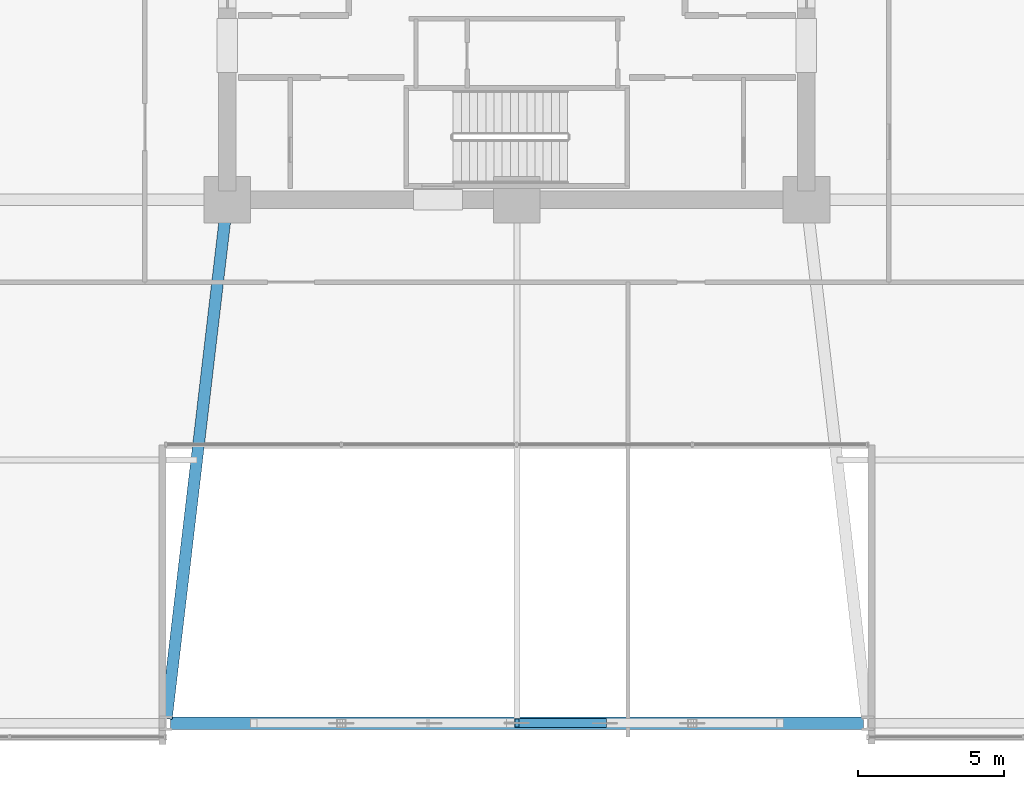
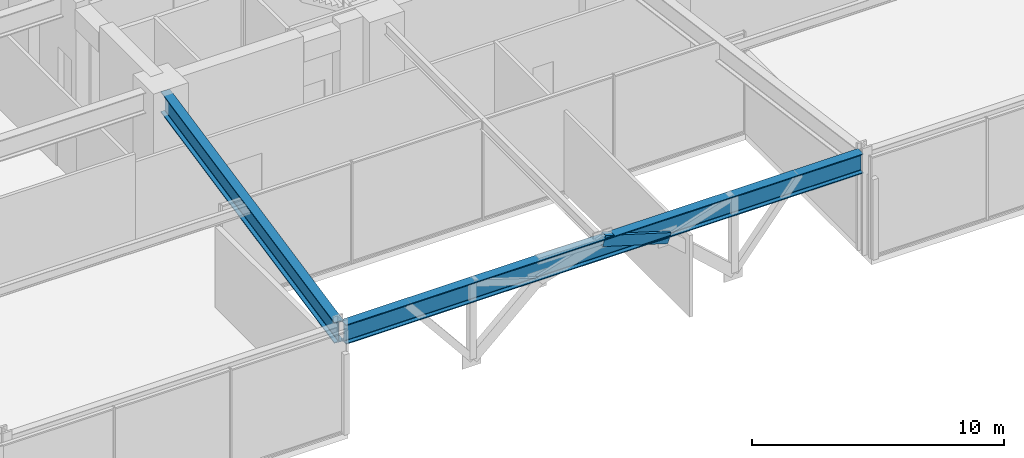
# One storey, part 9 of 49: 2 beams, 1 member.
"""IFC4 building model written with IfcOpenShell, lengths in metres."""

import ifcopenshell
import ifcopenshell.guid

model = None  # the IFC model being written
_history = None  # IfcOwnerHistory: only IFC2X3 demands one
_inside = {}  # id of a spatial element -> (the spatial element, [elements in it])
_under = {}  # id of a project, library or spatial element -> (it, [spatial elements below it])
_declared = {}  # id of a project -> (the project, [libraries it declares])
_typed = {}  # id of a type object -> (the type object, [elements of that type])
_made_of = {}  # id of a material, layer set ... -> (it, [elements and type objects made of it])


def new_model(schema):
    """Start an empty IFC model of exactly this schema.

    Asked for "IFC4X3", IfcOpenShell would pick the latest addendum, in which some entities
    have other attributes; the version numbers below select the first issue.
    IFC2X3 requires an IfcOwnerHistory on every rooted entity: one is made here for all.
    """
    global model, _history
    if schema == "IFC4X3":
        model = ifcopenshell.file(schema_version=(4, 3, 0, 0))
    else:
        model = ifcopenshell.file(schema=schema)
    _inside.clear()
    _under.clear()
    _declared.clear()
    _typed.clear()
    _made_of.clear()
    _history = None
    if model.schema == "IFC2X3":
        org = make("IfcOrganization", Name="unknown")
        user = make(
            "IfcPersonAndOrganization",
            ThePerson=make("IfcPerson", FamilyName="unknown"),
            TheOrganization=org,
        )
        app = make(
            "IfcApplication",
            ApplicationDeveloper=org,
            Version="unknown",
            ApplicationFullName="unknown",
            ApplicationIdentifier="unknown",
        )
        _history = make(
            "IfcOwnerHistory",
            OwningUser=user,
            OwningApplication=app,
            ChangeAction="ADDED",
            CreationDate=0,
        )
    return model


def make(cls, **values):
    """One entity of the class cls with the attributes given. An attribute that is None is left unset."""
    return model.create_entity(
        cls, **{name: value for name, value in values.items() if value is not None}
    )


def rooted(cls, **values):
    """An entity with a GlobalId (a new one), such as an element, a storey or a relation."""
    return make(cls, GlobalId=ifcopenshell.guid.new(), OwnerHistory=_history, **values)


def si_unit(unit_type, name, prefix=None):
    """IfcSIUnit, for example si_unit("LENGTHUNIT", "METRE", prefix="MILLI")."""
    return make("IfcSIUnit", UnitType=unit_type, Prefix=prefix, Name=name)


def assignment(units):
    """IfcUnitAssignment: the units of a project."""
    return None if units is None else make("IfcUnitAssignment", Units=units)


def point(xyz):
    """IfcCartesianPoint."""
    return None if xyz is None else make("IfcCartesianPoint", Coordinates=xyz)


def direction(xyz):
    """IfcDirection."""
    return None if xyz is None else make("IfcDirection", DirectionRatios=xyz)


def frame(location, z_axis=None, x_axis=None):
    """IfcAxis2Placement3D, a coordinate frame: its origin and axes. An axis left out is left unset."""
    return make(
        "IfcAxis2Placement3D",
        Location=point(location),
        Axis=direction(z_axis),
        RefDirection=direction(x_axis),
    )


def frame_2d(location, x_axis=None):
    """IfcAxis2Placement2D, a coordinate frame in the plane: its origin and x axis."""
    return make(
        "IfcAxis2Placement2D", Location=point(location), RefDirection=direction(x_axis)
    )


def origin():
    """The frame at (0, 0, 0) with its axes left unset."""
    return frame((0.0, 0.0, 0.0))


def origin_2d():
    """The frame at (0, 0) in the plane with its x axis left unset."""
    return frame_2d((0.0, 0.0))


def place(relative_to, where):
    """IfcLocalPlacement: puts the frame where relative to a parent placement (None: the world)."""
    return make(
        "IfcLocalPlacement", PlacementRelTo=relative_to, RelativePlacement=where
    )


def context(
    kind, dimensions, precision=None, world=None, true_north=None, identifier=None
):
    """IfcGeometricRepresentationContext, for example the 3D "Model" context."""
    return make(
        "IfcGeometricRepresentationContext",
        ContextIdentifier=identifier,
        ContextType=kind,
        CoordinateSpaceDimension=dimensions,
        Precision=precision,
        WorldCoordinateSystem=world,
        TrueNorth=true_north,
    )


def subcontext(parent, identifier, kind, view, scale=None):
    """IfcGeometricRepresentationSubContext, for example "Body" below "Model"."""
    return make(
        "IfcGeometricRepresentationSubContext",
        ContextIdentifier=identifier,
        ContextType=kind,
        ParentContext=parent,
        TargetScale=scale,
        TargetView=view,
    )


def project(units=None, contexts=None):
    """IfcProject with its units and contexts."""
    return rooted(
        "IfcProject",
        Name="project",
        RepresentationContexts=contexts,
        UnitsInContext=assignment(units),
    )


def spatial(cls, under=None, at=None, **own):
    """A site, building, storey or space (cls), placed at a placement, below another one or the project."""
    s = rooted(cls, ObjectPlacement=at, **own)
    if under is not None:
        _under.setdefault(under.id(), (under, []))[1].append(s)
    return s


def profile(cls, at=None, kind="AREA", **sizes):
    """A parametric profile (cls). Its sizes go by their IFC names, for example OverallWidth=200.0."""
    return make(cls, ProfileType=kind, Position=at, **sizes)


def hollow_rectangle(**sizes):
    """IfcRectangleHollowProfileDef."""
    return profile("IfcRectangleHollowProfileDef", **sizes)


def i_section(**sizes):
    """IfcIShapeProfileDef."""
    return profile("IfcIShapeProfileDef", **sizes)


def extrude(swept, where, along, depth):
    """IfcExtrudedAreaSolid: the profile swept, set in the frame where, extruded along a direction by depth."""
    return make(
        "IfcExtrudedAreaSolid",
        SweptArea=swept,
        Position=where,
        ExtrudedDirection=direction(along),
        Depth=depth,
    )


def shape(context_of_items, identifier, shape_type, items):
    """IfcShapeRepresentation: the items that make up one representation, for example the "Body"."""
    return make(
        "IfcShapeRepresentation",
        ContextOfItems=context_of_items,
        RepresentationIdentifier=identifier,
        RepresentationType=shape_type,
        Items=items,
    )


def material(Name=None, Category=None):
    """IfcMaterial."""
    return make("IfcMaterial", Name=Name, Category=Category)


def material_profile(
    of_material, cross_section, Name=None, Category=None, Priority=None
):
    """IfcMaterialProfile: a cross section and its material."""
    return make(
        "IfcMaterialProfile",
        Name=Name,
        Material=of_material,
        Profile=cross_section,
        Priority=Priority,
        Category=Category,
    )


def profile_set(profiles, Name=None, composite=None):
    """IfcMaterialProfileSet."""
    return make(
        "IfcMaterialProfileSet",
        Name=Name,
        MaterialProfiles=profiles,
        CompositeProfile=composite,
    )


def made_of(thing, what):
    """Note that an element or type object is made of a material, layer set ...; save() writes the relation."""
    if what is not None:
        _made_of.setdefault(what.id(), (what, []))[1].append(thing)
    return thing


def type_object(cls, material=None, **own):
    """A type object (cls), such as IfcWallType, which elements share."""
    return made_of(rooted(cls, **own), material)


def element(
    cls,
    number,
    at=None,
    inside=None,
    cuts=None,
    type_object=None,
    material=None,
    context=None,
    identifier="Body",
    shape_type=None,
    held_by="IfcProductDefinitionShape",
    body=None,
    shapes=None,
    **own,
):
    """One element of the class cls, such as IfcWall. Its Tag is "e" and its number.

    at: its placement. inside: the storey or other place that contains it. cuts: it is an
    opening in that element (IfcRelVoidsElement). A single representation is given by context,
    identifier, shape_type and body (its items); several are given by shapes. held_by: the class
    of the entity that holds the representations. save() writes the other relations.
    """
    e = rooted(cls, Tag="e%d" % number, ObjectPlacement=at, **own)
    if body is not None:
        shapes = [shape(context, identifier, shape_type, body)]
    if shapes is not None:
        e.Representation = make(held_by, Representations=shapes)
    if inside is not None:
        _inside.setdefault(inside.id(), (inside, []))[1].append(e)
    if cuts is not None:
        rooted(
            "IfcRelVoidsElement", RelatingBuildingElement=cuts, RelatedOpeningElement=e
        )
    if type_object is not None:
        _typed.setdefault(type_object.id(), (type_object, []))[1].append(e)
    return made_of(e, material)


def aggregate(whole, parts):
    """IfcRelAggregates: a whole, such as a stair, and the parts it consists of."""
    return rooted("IfcRelAggregates", RelatingObject=whole, RelatedObjects=parts)


def save(model, path):
    """Write the relations noted so far, then the file.

    IfcRelAggregates (storeys below a building ...), IfcRelContainedInSpatialStructure (elements
    in a storey), IfcRelDefinesByType, IfcRelAssociatesMaterial and IfcRelDeclares: one each for
    every whole, place, type object, material and project.
    """
    for whole, parts in _under.values():
        aggregate(whole, parts)
    for where, things in _inside.values():
        rooted(
            "IfcRelContainedInSpatialStructure",
            RelatedElements=things,
            RelatingStructure=where,
        )
    for kind, things in _typed.values():
        rooted("IfcRelDefinesByType", RelatedObjects=things, RelatingType=kind)
    for what, things in _made_of.values():
        rooted("IfcRelAssociatesMaterial", RelatedObjects=things, RelatingMaterial=what)
    for by, libraries in _declared.values():
        rooted("IfcRelDeclares", RelatingContext=by, RelatedDefinitions=libraries)
    model.write(path)


model = new_model("IFC4")

# Units and contexts
model_context = context("Model", 3, precision=1e-05, world=origin(), true_north=direction((0.0, 1.0)))
body_context = subcontext(model_context, "Body", "Model", "MODEL_VIEW")
ifc_project = project(units=[si_unit("LENGTHUNIT", "METRE"), si_unit("AREAUNIT", "SQUARE_METRE"), si_unit("VOLUMEUNIT", "CUBIC_METRE"), si_unit("PLANEANGLEUNIT", "RADIAN"), si_unit("MASSUNIT", "GRAM", prefix="KILO")], contexts=[model_context])

# Site, building, storey
site_placement = place(None, origin())
site = spatial("IfcSite", under=ifc_project, at=site_placement, CompositionType="ELEMENT")
building_placement = place(site_placement, origin())
building = spatial("IfcBuilding", under=site, at=building_placement, Name="Kolvaren Belvedere", CompositionType="ELEMENT")
storey_placement = place(building_placement, frame((0.0, 0.0, 10.0)))
storey = spatial("IfcBuildingStorey", under=building, at=storey_placement, Name="L03", CompositionType="ELEMENT", Elevation=10.0)

# Beams
ifc_material_1 = material(Name="Structural steel ASTM A992 Grade 50", Category="steel")
ifc_material_profile_1 = material_profile(ifc_material_1, i_section(OverallWidth=0.423095703125, OverallDepth=0.947998046875, WebThickness=0.02392578125, FlangeThickness=0.042724609375, FilletRadius=0.028076171875, at=origin_2d()), Name="W36X302")
ifc_profile_set_1 = profile_set([ifc_material_profile_1], Name="Structural steel ASTM A992 Grade 50")
beam_type_1 = type_object("IfcBeamType", Name="BM-ARCH-W36X302", PredefinedType="BEAM", material=ifc_profile_set_1)
beam_1_placement = place(storey_placement, frame((-11.85009765625, -27.800048828125, 4.446044921875), z_axis=(1.0, 0.0, 0.0), x_axis=(0.0, 1.0, 0.0)))
element("IfcBeam", 1, at=beam_1_placement, inside=storey, type_object=beam_type_1, Name="L03 South Portal Header Spandrel", PredefinedType="SPANDREL", context=body_context, shape_type="SweptSolid", body=[
    extrude(i_section(OverallWidth=0.423095703125, OverallDepth=0.947998046875, WebThickness=0.02392578125, FlangeThickness=0.042724609375, FilletRadius=0.028076171875, at=origin_2d()), origin(), (0.0, 0.0, 1.0), 23.7001953125),
])
ifc_material_2 = material(Name="Structural steel ASTM A992 Grade 50", Category="steel")
ifc_material_profile_2 = material_profile(ifc_material_2, i_section(OverallWidth=0.40087890625, OverallDepth=1.010986328125, WebThickness=0.023681640625, FlangeThickness=0.0419921875, FilletRadius=0.030029296875, at=origin_2d()), Name="W40X297")
ifc_profile_set_2 = profile_set([ifc_material_profile_2], Name="Structural steel ASTM A992 Grade 50")
beam_type_2 = type_object("IfcBeamType", Name="BM-BALL-W40X297", PredefinedType="BEAM", material=ifc_profile_set_2)
beam_2_placement = place(storey_placement, frame((-9.952392578125, -10.346923828125, 4.41455078125), z_axis=(-0.116516841483, -0.993188716031, 0.0), x_axis=(0.993188716031, -0.116516841483, 0.0)))
element("IfcBeam", 2, at=beam_2_placement, inside=storey, type_object=beam_type_2, Name="L03 South-West Portal Girder", PredefinedType="BEAM", context=body_context, shape_type="SweptSolid", body=[
    extrude(i_section(OverallWidth=0.40087890625, OverallDepth=1.010986328125, WebThickness=0.023681640625, FlangeThickness=0.0419921875, FilletRadius=0.030029296875, at=origin_2d()), origin(), (0.0, 0.0, 1.0), 17.422607421875),
])

# Member
ifc_material_3 = material(Name="Structural steel ASTM A500 Grade C", Category="steel")
ifc_material_profile_3 = material_profile(ifc_material_3, hollow_rectangle(XDim=0.304931640625, YDim=0.508056640625, WallThickness=0.014892578125, at=origin_2d()), Name="HSS20X12X5/8")
ifc_profile_set_3 = profile_set([ifc_material_profile_3], Name="Structural steel ASTM A500 Grade C")
member_type = type_object("IfcMemberType", Name="MB-ARCH-CHORD", PredefinedType="CHORD", material=ifc_profile_set_3)
member_placement = place(storey_placement, frame((0.0, -27.800048828125, 4.800048828125), z_axis=(0.957275641118, 0.0, -0.289177016588), x_axis=(0.0, 1.0, 0.0)))
element("IfcMember", 3, at=member_placement, inside=storey, type_object=member_type, Name="Giant Portal Arch Rib Chord AC-5", PredefinedType="CHORD", context=body_context, shape_type="SweptSolid", body=[
    extrude(hollow_rectangle(XDim=0.304931640625, YDim=0.508056640625, WallThickness=0.014892578125, at=origin_2d()), origin(), (0.0, 0.0, 1.0), 3.1337890625),
])

save(model, "model.ifc")
